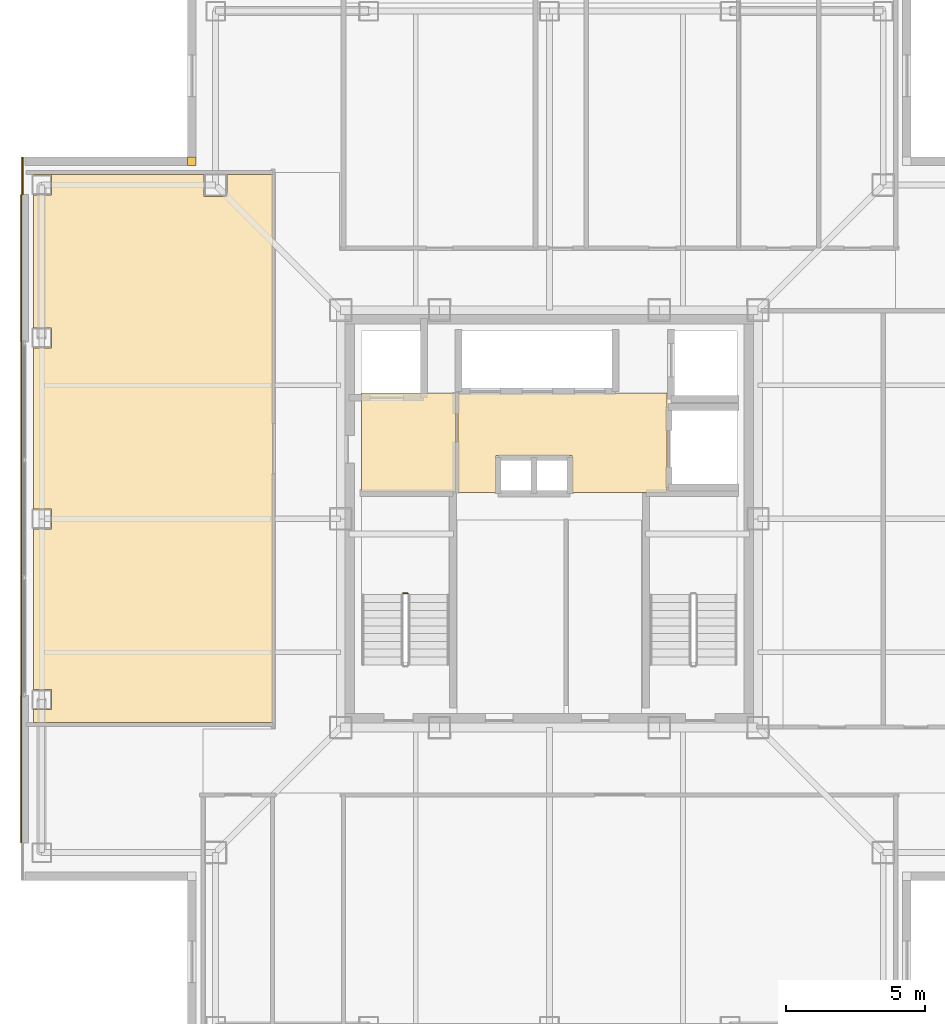
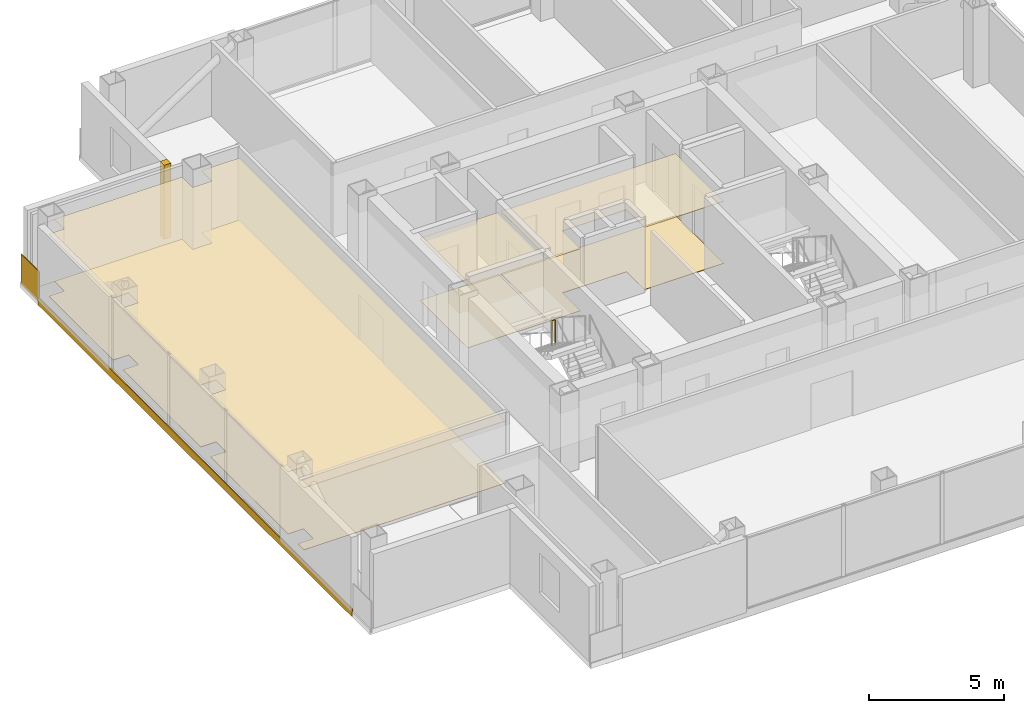
# One storey, part 13 of 16: 9 coverings, 1 railing.
"""IFC4 building model written with IfcOpenShell, lengths in metres."""

from ifc_helpers import new_model, si_unit, direction, frame, frame_2d, origin, origin_2d, place, context, subcontext, project, spatial, polyline, rectangle, circle, outline, extrude, material, layer, layer_set, type_object, element, save


model = new_model("IFC4")

# Units and contexts
model_context = context("Model", 3, precision=1e-05, world=origin(), true_north=direction((0.0, 1.0)))
body_context = subcontext(model_context, "Body", "Model", "MODEL_VIEW")
ifc_project = project(units=[si_unit("LENGTHUNIT", "METRE"), si_unit("AREAUNIT", "SQUARE_METRE"), si_unit("VOLUMEUNIT", "CUBIC_METRE"), si_unit("PLANEANGLEUNIT", "RADIAN"), si_unit("MASSUNIT", "GRAM", prefix="KILO")], contexts=[model_context])

# Site, building, storey
site_placement = place(None, origin())
site = spatial("IfcSite", under=ifc_project, at=site_placement, CompositionType="ELEMENT")
building_placement = place(site_placement, origin())
building = spatial("IfcBuilding", under=site, at=building_placement, Name="Trevonay Congress Spire", CompositionType="ELEMENT")
storey_placement = place(building_placement, frame((0.0, 0.0, 246.800048828125)))
storey = spatial("IfcBuildingStorey", under=building, at=storey_placement, Name="L64", CompositionType="ELEMENT", Elevation=246.800048828125)

# Coverings
ifc_material_1 = material(Name="Acoustic Mineral Fibre Board", Category="gypsum")
ifc_layer_1 = layer(ifc_material_1, 0.02490234375, Name="Acoustic Mineral Fibre Board")
ifc_layer_set_1 = layer_set([ifc_layer_1], Name="Acoustic Mineral Fibre Board")
covering_type_1 = type_object("IfcCoveringType", Name="COV-CEIL-ACOUSTIC", PredefinedType="CEILING", material=ifc_layer_set_1)
covering_1_placement = place(storey_placement, frame((0.0, 0.0, 2.81005859375)))
element("IfcCovering", 1, at=covering_1_placement, inside=storey, type_object=covering_type_1, Name="L64 Firefighting Lift Lobby West acoustic suspended ceiling", PredefinedType="CEILING", context=body_context, shape_type="SweptSolid", body=[
    extrude(outline(polyline([(-6.75, 0.9599609375), (-3.3798828125, 0.9599609375), (-3.3798828125, 4.52001953125), (-6.75, 4.52001953125), (-6.75, 0.9599609375)])), origin(), (0.0, 0.0, 1.0), 0.02490234375),
])
covering_2_placement = place(storey_placement, frame((0.0, 0.0, 2.81005859375)))
element("IfcCovering", 2, at=covering_2_placement, inside=storey, type_object=covering_type_1, Name="L64 Central and High-Rise Passenger Lift Lobby acoustic suspended ceiling", PredefinedType="CEILING", context=body_context, shape_type="SweptSolid", body=[
    extrude(outline(polyline([(-3.280029296875, 0.949951171875), (-1.919921875, 0.949951171875), (-1.919921875, 2.280029296875), (0.820068359375, 2.280029296875), (0.820068359375, 0.949951171875), (4.219970703125, 0.949951171875), (4.219970703125, 4.52001953125), (-3.280029296875, 4.52001953125), (-3.280029296875, 0.949951171875)])), origin(), (0.0, 0.0, 1.0), 0.02490234375),
])
covering_3_placement = place(storey_placement, frame((0.0, 0.0, 2.81005859375)))
element("IfcCovering", 3, at=covering_3_placement, inside=storey, type_object=covering_type_1, Name="L64 Mercosur Ministerial Council Chamber acoustic suspended ceiling", PredefinedType="CEILING", context=body_context, shape_type="SweptSolid", body=[
    extrude(outline(polyline([(-9.929931640625, 12.3701171875), (-9.929931640625, -7.320068359375), (-18.550048828125, -7.320068359375), (-18.550048828125, -6.860107421875), (-17.889892578125, -6.860107421875), (-17.889892578125, -6.139892578125), (-18.550048828125, -6.139892578125), (-18.550048828125, -0.360107421875), (-17.889892578125, -0.360107421875), (-17.889892578125, 0.360107421875), (-18.550048828125, 0.360107421875), (-18.550048828125, 6.139892578125), (-17.889892578125, 6.139892578125), (-17.889892578125, 6.860107421875), (-18.550048828125, 6.860107421875), (-18.550048828125, 11.639892578125), (-17.889892578125, 11.639892578125), (-17.889892578125, 12.360107421875), (-18.550048828125, 12.360107421875), (-18.550048828125, 12.3701171875), (-12.409912109375, 12.3701171875), (-12.409912109375, 11.590087890625), (-11.590087890625, 11.590087890625), (-11.590087890625, 12.3701171875), (-9.929931640625, 12.3701171875)])), origin(), (0.0, 0.0, 1.0), 0.02490234375),
])
ifc_material_2 = material(Name="Polished Granite Floor Tile", Category="masonry")
ifc_layer_2 = layer(ifc_material_2, 0.02001953125, Name="Polished Granite Floor Tile")
ifc_layer_set_2 = layer_set([ifc_layer_2], Name="Polished Granite Floor Tile")
covering_type_2 = type_object("IfcCoveringType", Name="COV-FLOOR-STONE", PredefinedType="FLOORING", material=ifc_layer_set_2)
covering_4_placement = place(storey_placement, origin())
element("IfcCovering", 4, at=covering_4_placement, inside=storey, type_object=covering_type_2, Name="L64 Firefighting Lift Lobby West floor finish", PredefinedType="FLOORING", context=body_context, shape_type="SweptSolid", body=[
    extrude(outline(polyline([(-6.75, 0.9599609375), (-3.3798828125, 0.9599609375), (-3.3798828125, 4.52001953125), (-6.75, 4.52001953125), (-6.75, 0.9599609375)])), origin(), (0.0, 0.0, 1.0), 0.02001953125),
])
covering_5_placement = place(storey_placement, origin())
element("IfcCovering", 5, at=covering_5_placement, inside=storey, type_object=covering_type_2, Name="L64 Central and High-Rise Passenger Lift Lobby floor finish", PredefinedType="FLOORING", context=body_context, shape_type="SweptSolid", body=[
    extrude(outline(polyline([(-3.280029296875, 0.949951171875), (-1.919921875, 0.949951171875), (-1.919921875, 2.280029296875), (0.820068359375, 2.280029296875), (0.820068359375, 0.949951171875), (4.219970703125, 0.949951171875), (4.219970703125, 4.52001953125), (-3.280029296875, 4.52001953125), (-3.280029296875, 0.949951171875)])), origin(), (0.0, 0.0, 1.0), 0.02001953125),
])
ifc_material_3 = material(Name="Engineered Oak Flooring", Category="wood")
ifc_layer_3 = layer(ifc_material_3, 0.01806640625, Name="Engineered Oak Flooring")
ifc_layer_set_3 = layer_set([ifc_layer_3], Name="Engineered Oak Flooring")
covering_type_3 = type_object("IfcCoveringType", Name="COV-FLOOR-TIMBER", PredefinedType="FLOORING", material=ifc_layer_set_3)
covering_6_placement = place(storey_placement, origin())
element("IfcCovering", 6, at=covering_6_placement, inside=storey, type_object=covering_type_3, Name="L64 Mercosur Ministerial Council Chamber floor finish", PredefinedType="FLOORING", context=body_context, shape_type="SweptSolid", body=[
    extrude(outline(polyline([(-9.929931640625, 12.3701171875), (-9.929931640625, -7.320068359375), (-18.550048828125, -7.320068359375), (-18.550048828125, -6.860107421875), (-17.889892578125, -6.860107421875), (-17.889892578125, -6.139892578125), (-18.550048828125, -6.139892578125), (-18.550048828125, -0.360107421875), (-17.889892578125, -0.360107421875), (-17.889892578125, 0.360107421875), (-18.550048828125, 0.360107421875), (-18.550048828125, 6.139892578125), (-17.889892578125, 6.139892578125), (-17.889892578125, 6.860107421875), (-18.550048828125, 6.860107421875), (-18.550048828125, 11.639892578125), (-17.889892578125, 11.639892578125), (-17.889892578125, 12.360107421875), (-18.550048828125, 12.360107421875), (-18.550048828125, 12.3701171875), (-12.409912109375, 12.3701171875), (-12.409912109375, 11.590087890625), (-11.590087890625, 11.590087890625), (-11.590087890625, 12.3701171875), (-9.929931640625, 12.3701171875)])), origin(), (0.0, 0.0, 1.0), 0.01806640625),
])
ifc_material_4 = material(Name="Pale Anodised Aluminium EN AW-6063-T6", Category="aluminium")
ifc_layer_4 = layer(ifc_material_4, 0.0400390625, Name="Pale Anodised Aluminium EN AW-6063-T6")
ifc_layer_set_4 = layer_set([ifc_layer_4], Name="Pale Anodised Aluminium EN AW-6063-T6")
covering_type_4 = type_object("IfcCoveringType", Name="COV-SPANDREL-PALE-METAL", PredefinedType="CLADDING", material=ifc_layer_set_4)
covering_7_placement = place(storey_placement, frame((-18.97998046875, -11.64990234375, -0.239990234375), z_axis=(0.0, 0.0, 1.0), x_axis=(0.0, 1.0, 0.0)))
element("IfcCovering", 7, at=covering_7_placement, inside=storey, type_object=covering_type_4, Name="L64 W pale-metal slab-edge spandrel cladding", PredefinedType="CLADDING", context=body_context, shape_type="SweptSolid", body=[
    extrude(rectangle(XDim=23.2998046875, YDim=0.0400390625, at=frame_2d((11.64990234375, 0.0))), origin(), (0.0, 0.0, 1.0), 0.35986328125),
])
covering_8_placement = place(storey_placement, origin())
element("IfcCovering", 8, at=covering_8_placement, inside=storey, type_object=covering_type_4, Name="L64 NW re-entrant notch corner closure trim", PredefinedType="CLADDING", context=body_context, shape_type="SweptSolid", body=[
    extrude(outline(polyline([(-13.0, 12.699951171875), (-12.699951171875, 12.699951171875), (-12.699951171875, 13.0), (-13.0, 13.0), (-13.0, 12.699951171875)])), origin(), (0.0, 0.0, 1.0), 3.35986328125),
])
covering_9_placement = place(storey_placement, frame((-18.93994140625, 11.64990234375, -0.150146484375), z_axis=(0.0, 0.0, 1.0), x_axis=(0.0, 1.0, 0.0)))
element("IfcCovering", 9, at=covering_9_placement, inside=storey, type_object=covering_type_4, Name="L64 NW corner pier spandrel cladding 1", PredefinedType="CLADDING", context=body_context, shape_type="SweptSolid", body=[
    extrude(rectangle(XDim=1.35009765625, YDim=0.0400390625, at=frame_2d((0.675048828125, 0.0))), origin(), (0.0, 0.0, 1.0), 1.400146484375),
])

# Railing
railing_type = type_object("IfcRailingType", Name="RAL-STAIR-GUARD-110", PredefinedType="GUARDRAIL", material=ifc_material_4)
railing_placement = place(storey_placement, frame((-5.10009765625, -2.679931640625, 1.800048828125)))
element("IfcRailing", 10, at=railing_placement, inside=storey, type_object=railing_type, Name="L64 ST-1 stair guard 2", PredefinedType="GUARDRAIL", context=body_context, shape_type="SweptSolid", body=[
    extrude(circle(Radius=0.02392578125, at=origin_2d()), frame((0.0, 0.0, 1.1259765625), z_axis=(-1.0, 0.0, 0.0), x_axis=(0.0, -1.0, 0.0)), (0.0, 0.0, 1.0), 0.14990234375),
    extrude(circle(Radius=0.02099609375, at=origin_2d()), origin(), (0.0, 0.0, 1.0), 1.101806640625),
    extrude(circle(Radius=0.02099609375, at=origin_2d()), frame((-0.14990234375, 0.0, 0.0)), (0.0, 0.0, 1.0), 1.101806640625),
])

save(model, "model.ifc")
